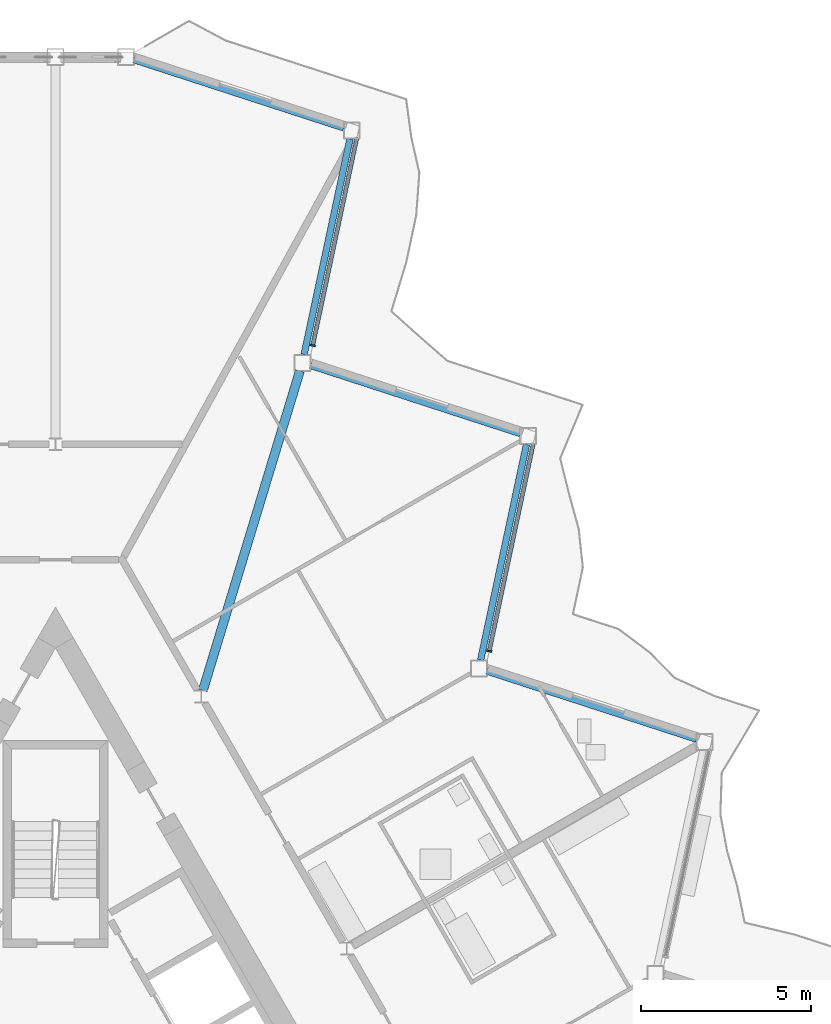
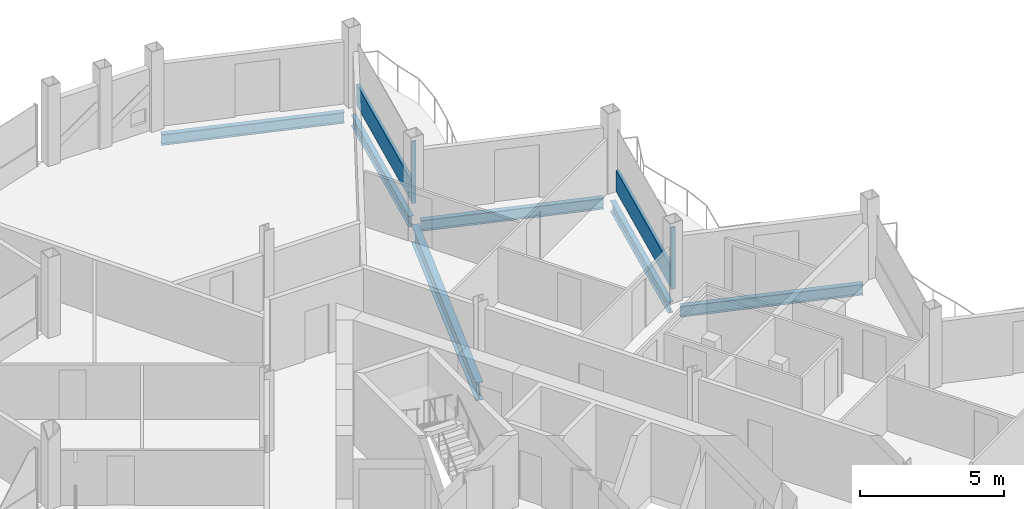
# One storey, part 10 of 25: 6 beams, 4 members, 2 elements without a shape of their own.
"""IFC4 building model written with IfcOpenShell, lengths in metres."""

import ifcopenshell
import ifcopenshell.guid

model = None  # the IFC model being written
_history = None  # IfcOwnerHistory: only IFC2X3 demands one
_inside = {}  # id of a spatial element -> (the spatial element, [elements in it])
_under = {}  # id of a project, library or spatial element -> (it, [spatial elements below it])
_declared = {}  # id of a project -> (the project, [libraries it declares])
_typed = {}  # id of a type object -> (the type object, [elements of that type])
_made_of = {}  # id of a material, layer set ... -> (it, [elements and type objects made of it])


def new_model(schema):
    """Start an empty IFC model of exactly this schema.

    Asked for "IFC4X3", IfcOpenShell would pick the latest addendum, in which some entities
    have other attributes; the version numbers below select the first issue.
    IFC2X3 requires an IfcOwnerHistory on every rooted entity: one is made here for all.
    """
    global model, _history
    if schema == "IFC4X3":
        model = ifcopenshell.file(schema_version=(4, 3, 0, 0))
    else:
        model = ifcopenshell.file(schema=schema)
    _inside.clear()
    _under.clear()
    _declared.clear()
    _typed.clear()
    _made_of.clear()
    _history = None
    if model.schema == "IFC2X3":
        org = make("IfcOrganization", Name="unknown")
        user = make(
            "IfcPersonAndOrganization",
            ThePerson=make("IfcPerson", FamilyName="unknown"),
            TheOrganization=org,
        )
        app = make(
            "IfcApplication",
            ApplicationDeveloper=org,
            Version="unknown",
            ApplicationFullName="unknown",
            ApplicationIdentifier="unknown",
        )
        _history = make(
            "IfcOwnerHistory",
            OwningUser=user,
            OwningApplication=app,
            ChangeAction="ADDED",
            CreationDate=0,
        )
    return model


def make(cls, **values):
    """One entity of the class cls with the attributes given. An attribute that is None is left unset."""
    return model.create_entity(
        cls, **{name: value for name, value in values.items() if value is not None}
    )


def rooted(cls, **values):
    """An entity with a GlobalId (a new one), such as an element, a storey or a relation."""
    return make(cls, GlobalId=ifcopenshell.guid.new(), OwnerHistory=_history, **values)


def si_unit(unit_type, name, prefix=None):
    """IfcSIUnit, for example si_unit("LENGTHUNIT", "METRE", prefix="MILLI")."""
    return make("IfcSIUnit", UnitType=unit_type, Prefix=prefix, Name=name)


def assignment(units):
    """IfcUnitAssignment: the units of a project."""
    return None if units is None else make("IfcUnitAssignment", Units=units)


def point(xyz):
    """IfcCartesianPoint."""
    return None if xyz is None else make("IfcCartesianPoint", Coordinates=xyz)


def direction(xyz):
    """IfcDirection."""
    return None if xyz is None else make("IfcDirection", DirectionRatios=xyz)


def frame(location, z_axis=None, x_axis=None):
    """IfcAxis2Placement3D, a coordinate frame: its origin and axes. An axis left out is left unset."""
    return make(
        "IfcAxis2Placement3D",
        Location=point(location),
        Axis=direction(z_axis),
        RefDirection=direction(x_axis),
    )


def frame_2d(location, x_axis=None):
    """IfcAxis2Placement2D, a coordinate frame in the plane: its origin and x axis."""
    return make(
        "IfcAxis2Placement2D", Location=point(location), RefDirection=direction(x_axis)
    )


def origin():
    """The frame at (0, 0, 0) with its axes left unset."""
    return frame((0.0, 0.0, 0.0))


def origin_2d():
    """The frame at (0, 0) in the plane with its x axis left unset."""
    return frame_2d((0.0, 0.0))


def place(relative_to, where):
    """IfcLocalPlacement: puts the frame where relative to a parent placement (None: the world)."""
    return make(
        "IfcLocalPlacement", PlacementRelTo=relative_to, RelativePlacement=where
    )


def context(
    kind, dimensions, precision=None, world=None, true_north=None, identifier=None
):
    """IfcGeometricRepresentationContext, for example the 3D "Model" context."""
    return make(
        "IfcGeometricRepresentationContext",
        ContextIdentifier=identifier,
        ContextType=kind,
        CoordinateSpaceDimension=dimensions,
        Precision=precision,
        WorldCoordinateSystem=world,
        TrueNorth=true_north,
    )


def subcontext(parent, identifier, kind, view, scale=None):
    """IfcGeometricRepresentationSubContext, for example "Body" below "Model"."""
    return make(
        "IfcGeometricRepresentationSubContext",
        ContextIdentifier=identifier,
        ContextType=kind,
        ParentContext=parent,
        TargetScale=scale,
        TargetView=view,
    )


def project(units=None, contexts=None):
    """IfcProject with its units and contexts."""
    return rooted(
        "IfcProject",
        Name="project",
        RepresentationContexts=contexts,
        UnitsInContext=assignment(units),
    )


def spatial(cls, under=None, at=None, **own):
    """A site, building, storey or space (cls), placed at a placement, below another one or the project."""
    s = rooted(cls, ObjectPlacement=at, **own)
    if under is not None:
        _under.setdefault(under.id(), (under, []))[1].append(s)
    return s


def profile(cls, at=None, kind="AREA", **sizes):
    """A parametric profile (cls). Its sizes go by their IFC names, for example OverallWidth=200.0."""
    return make(cls, ProfileType=kind, Position=at, **sizes)


def rectangle(**sizes):
    """IfcRectangleProfileDef."""
    return profile("IfcRectangleProfileDef", **sizes)


def i_section(**sizes):
    """IfcIShapeProfileDef."""
    return profile("IfcIShapeProfileDef", **sizes)


def extrude(swept, where, along, depth):
    """IfcExtrudedAreaSolid: the profile swept, set in the frame where, extruded along a direction by depth."""
    return make(
        "IfcExtrudedAreaSolid",
        SweptArea=swept,
        Position=where,
        ExtrudedDirection=direction(along),
        Depth=depth,
    )


def shape(context_of_items, identifier, shape_type, items):
    """IfcShapeRepresentation: the items that make up one representation, for example the "Body"."""
    return make(
        "IfcShapeRepresentation",
        ContextOfItems=context_of_items,
        RepresentationIdentifier=identifier,
        RepresentationType=shape_type,
        Items=items,
    )


def material(Name=None, Category=None):
    """IfcMaterial."""
    return make("IfcMaterial", Name=Name, Category=Category)


def layer(
    of_material, thickness, ventilated=None, Name=None, Category=None, Priority=None
):
    """IfcMaterialLayer: one layer of a wall or slab, of a material (None: an air gap)."""
    return make(
        "IfcMaterialLayer",
        Material=of_material,
        LayerThickness=thickness,
        IsVentilated=ventilated,
        Name=Name,
        Category=Category,
        Priority=Priority,
    )


def layer_set(layers, Name=None):
    """IfcMaterialLayerSet."""
    return make("IfcMaterialLayerSet", MaterialLayers=layers, LayerSetName=Name)


def material_profile(
    of_material, cross_section, Name=None, Category=None, Priority=None
):
    """IfcMaterialProfile: a cross section and its material."""
    return make(
        "IfcMaterialProfile",
        Name=Name,
        Material=of_material,
        Profile=cross_section,
        Priority=Priority,
        Category=Category,
    )


def profile_set(profiles, Name=None, composite=None):
    """IfcMaterialProfileSet."""
    return make(
        "IfcMaterialProfileSet",
        Name=Name,
        MaterialProfiles=profiles,
        CompositeProfile=composite,
    )


def made_of(thing, what):
    """Note that an element or type object is made of a material, layer set ...; save() writes the relation."""
    if what is not None:
        _made_of.setdefault(what.id(), (what, []))[1].append(thing)
    return thing


def type_object(cls, material=None, **own):
    """A type object (cls), such as IfcWallType, which elements share."""
    return made_of(rooted(cls, **own), material)


def element(
    cls,
    number,
    at=None,
    inside=None,
    cuts=None,
    type_object=None,
    material=None,
    context=None,
    identifier="Body",
    shape_type=None,
    held_by="IfcProductDefinitionShape",
    body=None,
    shapes=None,
    **own,
):
    """One element of the class cls, such as IfcWall. Its Tag is "e" and its number.

    at: its placement. inside: the storey or other place that contains it. cuts: it is an
    opening in that element (IfcRelVoidsElement). A single representation is given by context,
    identifier, shape_type and body (its items); several are given by shapes. held_by: the class
    of the entity that holds the representations. save() writes the other relations.
    """
    e = rooted(cls, Tag="e%d" % number, ObjectPlacement=at, **own)
    if body is not None:
        shapes = [shape(context, identifier, shape_type, body)]
    if shapes is not None:
        e.Representation = make(held_by, Representations=shapes)
    if inside is not None:
        _inside.setdefault(inside.id(), (inside, []))[1].append(e)
    if cuts is not None:
        rooted(
            "IfcRelVoidsElement", RelatingBuildingElement=cuts, RelatedOpeningElement=e
        )
    if type_object is not None:
        _typed.setdefault(type_object.id(), (type_object, []))[1].append(e)
    return made_of(e, material)


def aggregate(whole, parts):
    """IfcRelAggregates: a whole, such as a stair, and the parts it consists of."""
    return rooted("IfcRelAggregates", RelatingObject=whole, RelatedObjects=parts)


def save(model, path):
    """Write the relations noted so far, then the file.

    IfcRelAggregates (storeys below a building ...), IfcRelContainedInSpatialStructure (elements
    in a storey), IfcRelDefinesByType, IfcRelAssociatesMaterial and IfcRelDeclares: one each for
    every whole, place, type object, material and project.
    """
    for whole, parts in _under.values():
        aggregate(whole, parts)
    for where, things in _inside.values():
        rooted(
            "IfcRelContainedInSpatialStructure",
            RelatedElements=things,
            RelatingStructure=where,
        )
    for kind, things in _typed.values():
        rooted("IfcRelDefinesByType", RelatedObjects=things, RelatingType=kind)
    for what, things in _made_of.values():
        rooted("IfcRelAssociatesMaterial", RelatedObjects=things, RelatingMaterial=what)
    for by, libraries in _declared.values():
        rooted("IfcRelDeclares", RelatingContext=by, RelatedDefinitions=libraries)
    model.write(path)


model = new_model("IFC4")

# Units and contexts
model_context = context("Model", 3, precision=1e-05, world=origin(), true_north=direction((0.0, 1.0)))
body_context = subcontext(model_context, "Body", "Model", "MODEL_VIEW")
ifc_project = project(units=[si_unit("LENGTHUNIT", "METRE"), si_unit("AREAUNIT", "SQUARE_METRE"), si_unit("VOLUMEUNIT", "CUBIC_METRE"), si_unit("PLANEANGLEUNIT", "RADIAN"), si_unit("MASSUNIT", "GRAM", prefix="KILO")], contexts=[model_context])

# Site, building, storey
site_placement = place(None, origin())
site = spatial("IfcSite", under=ifc_project, at=site_placement, CompositionType="ELEMENT")
building_placement = place(site_placement, origin())
building = spatial("IfcBuilding", under=site, at=building_placement, Name="Cormorant Prow Tower", CompositionType="ELEMENT")
storey_placement = place(building_placement, frame((0.0, 0.0, 391.60009765625)))
storey = spatial("IfcBuildingStorey", under=building, at=storey_placement, Name="L89", CompositionType="ELEMENT", Elevation=391.60009765625)

# Beam
ifc_material_1 = material(Name="Structural steel ASTM A992 Gr 50", Category="steel")
ifc_material_profile_1 = material_profile(ifc_material_1, i_section(OverallWidth=0.267822265625, OverallDepth=0.77001953125, WebThickness=0.015625, FlangeThickness=0.025390625, at=origin_2d()), Name="W30x132")
ifc_profile_set_1 = profile_set([ifc_material_profile_1], Name="Structural steel ASTM A992 Gr 50")
beam_type_1 = type_object("IfcBeamType", Name="Radial floor beam W30x132", PredefinedType="BEAM", material=ifc_profile_set_1)
beam_1_placement = place(storey_placement, frame((4.343505859375, 12.560791015625, -0.68505859375), z_axis=(0.290499864147, 0.956875033079, 0.0), x_axis=(-0.956875033079, 0.290499864147, 0.0)))
element("IfcBeam", 1, at=beam_1_placement, inside=storey, type_object=beam_type_1, Name="Radial floor beam FB3 12 L89", PredefinedType="BEAM", context=body_context, shape_type="SweptSolid", body=[
    extrude(i_section(OverallWidth=0.267822265625, OverallDepth=0.77001953125, WebThickness=0.015625, FlangeThickness=0.025390625, at=origin_2d()), origin(), (0.0, 0.0, 1.0), 9.837158203125),
])

# Curtain wall, member
ifc_material_2 = material(Name="Aluminium 6063-T6", Category="aluminium")
ifc_layer = layer(ifc_material_2, 0.159912109375)
ifc_layer_set = layer_set([ifc_layer], Name="Aluminium 6063-T6")
curtain_wall_type = type_object("IfcCurtainWallType", Name="Residential unitised curtain wall 160", PredefinedType="NOTDEFINED", material=ifc_layer_set)
curtain_wall_1_placement = place(storey_placement, origin())
curtain_wall_1 = element("IfcCurtainWall", 2, at=curtain_wall_1_placement, inside=storey, type_object=curtain_wall_type, Name="Residential curtain wall ENE06", PredefinedType="NOTDEFINED")
ifc_material_3 = material(Name="Aluminium 6063-T6", Category="aluminium")
ifc_material_profile_2 = material_profile(ifc_material_3, rectangle(XDim=0.159912109375, YDim=0.050048828125, at=origin_2d()), Name="Residential mullion 50x160")
ifc_profile_set_2 = profile_set([ifc_material_profile_2], Name="Aluminium 6063-T6")
member_type_1 = type_object("IfcMemberType", Name="Residential mullion 50x160", PredefinedType="MULLION", material=ifc_profile_set_2)
member_1_placement = place(storey_placement, frame((12.779541015625, 13.71826171875, 0.0), z_axis=(0.0, 0.0, 1.0), x_axis=(-0.978147615768, 0.207911620089, 0.0)))
member_1 = element("IfcMember", 3, at=member_1_placement, type_object=member_type_1, Name="Residential mullion ENE06", PredefinedType="MULLION", context=body_context, shape_type="SweptSolid", body=[
    extrude(rectangle(XDim=0.159912109375, YDim=0.050048828125, at=origin_2d()), origin(), (0.0, 0.0, 1.0), 2.6337890625),
])

curtain_wall_2_placement = place(storey_placement, origin())
curtain_wall_2 = element("IfcCurtainWall", 4, at=curtain_wall_2_placement, inside=storey, type_object=curtain_wall_type, Name="Residential curtain wall ENE08", PredefinedType="NOTDEFINED")
member_2_placement = place(storey_placement, frame((7.579345703125, 22.724853515625, 0.0), z_axis=(0.0, 0.0, 1.0), x_axis=(-0.978147615768, 0.207911620089, 0.0)))
member_2 = element("IfcMember", 5, at=member_2_placement, type_object=member_type_1, Name="Residential mullion ENE08", PredefinedType="MULLION", context=body_context, shape_type="SweptSolid", body=[
    extrude(rectangle(XDim=0.159912109375, YDim=0.050048828125, at=origin_2d()), origin(), (0.0, 0.0, 1.0), 2.6337890625),
])

# Member
ifc_material_4 = material(Name="Terracotta", Category="masonry")
ifc_material_profile_3 = material_profile(ifc_material_4, rectangle(XDim=0.1201171875, YDim=0.89990234375, at=origin_2d()), Name="Residential terracotta spandrel rail 120x900")
ifc_profile_set_3 = profile_set([ifc_material_profile_3], Name="Terracotta")
member_type_2 = type_object("IfcMemberType", Name="Residential terracotta spandrel rail 120x900", PredefinedType="USERDEFINED", material=ifc_profile_set_3)
member_3_placement = place(storey_placement, frame((12.78466796875, 13.74267578125, 0.449951171875), z_axis=(0.207916541247, 0.978146569731, 0.0), x_axis=(-0.978146569731, 0.207916541247, 0.0)))
member_3 = element("IfcMember", 6, at=member_3_placement, type_object=member_type_2, Name="Residential spandrel rail ENE06", ObjectType="TRANSOM", PredefinedType="USERDEFINED", context=body_context, shape_type="SweptSolid", body=[
    extrude(rectangle(XDim=0.1201171875, YDim=0.89990234375, at=origin_2d()), origin(), (0.0, 0.0, 1.0), 6.215087890625),
])

aggregate(curtain_wall_1, [member_1, member_3])

member_4_placement = place(storey_placement, frame((7.584716796875, 22.749267578125, 0.449951171875), z_axis=(0.207908552773, 0.978148267741, 0.0), x_axis=(-0.978148267741, 0.207908552773, 0.0)))
member_4 = element("IfcMember", 7, at=member_4_placement, type_object=member_type_2, Name="Residential spandrel rail ENE08", ObjectType="TRANSOM", PredefinedType="USERDEFINED", context=body_context, shape_type="SweptSolid", body=[
    extrude(rectangle(XDim=0.1201171875, YDim=0.89990234375, at=origin_2d()), origin(), (0.0, 0.0, 1.0), 6.21533203125),
])

aggregate(curtain_wall_2, [member_2, member_4])

# Beams
ifc_material_5 = material(Name="Structural steel ASTM A992 Gr 50", Category="steel")
ifc_material_profile_4 = material_profile(ifc_material_5, i_section(OverallWidth=0.19287109375, OverallDepth=0.466064453125, WebThickness=0.011474609375, FlangeThickness=0.01904296875, at=origin_2d()), Name="W18x65")
ifc_profile_set_4 = profile_set([ifc_material_profile_4], Name="Structural steel ASTM A992 Gr 50")
beam_type_2 = type_object("IfcBeamType", Name="Spandrel beam W18x65", PredefinedType="SPANDREL", material=ifc_profile_set_4)
beam_2_placement = place(storey_placement, frame((18.890869140625, 11.12109375, -0.533203125), z_axis=(-0.951053396625, 0.309026595569, 0.0), x_axis=(-0.309026595569, -0.951053396625, 0.0)))
element("IfcBeam", 8, at=beam_2_placement, inside=storey, type_object=beam_type_2, Name="Spandrel beam SB4 ENE05-ENE06 L89", PredefinedType="SPANDREL", context=body_context, shape_type="SweptSolid", body=[
    extrude(i_section(OverallWidth=0.19287109375, OverallDepth=0.466064453125, WebThickness=0.011474609375, FlangeThickness=0.01904296875, at=origin_2d()), origin(), (0.0, 0.0, 1.0), 6.497314453125),
])
beam_3_placement = place(storey_placement, frame((12.52587890625, 13.45068359375, -0.533203125), z_axis=(0.207901897373, 0.978149682344, 0.0), x_axis=(-0.978149682344, 0.207901897373, 0.0)))
element("IfcBeam", 9, at=beam_3_placement, inside=storey, type_object=beam_type_2, Name="Spandrel beam SB4 ENE06-ENE07 L89", PredefinedType="SPANDREL", context=body_context, shape_type="SweptSolid", body=[
    extrude(i_section(OverallWidth=0.19287109375, OverallDepth=0.466064453125, WebThickness=0.011474609375, FlangeThickness=0.01904296875, at=origin_2d()), origin(), (0.0, 0.0, 1.0), 6.49755859375),
])
beam_4_placement = place(storey_placement, frame((13.69091796875, 20.1279296875, -0.533203125), z_axis=(-0.951068027308, 0.308981564875, 0.0), x_axis=(-0.308981564875, -0.951068027308, 0.0)))
element("IfcBeam", 10, at=beam_4_placement, inside=storey, type_object=beam_type_2, Name="Spandrel beam SB4 ENE07-ENE08 L89", PredefinedType="SPANDREL", context=body_context, shape_type="SweptSolid", body=[
    extrude(i_section(OverallWidth=0.19287109375, OverallDepth=0.466064453125, WebThickness=0.011474609375, FlangeThickness=0.01904296875, at=origin_2d()), origin(), (0.0, 0.0, 1.0), 6.497314453125),
])
for number, where, z_axis, x_axis, name in (
    (11, (7.32568359375, 22.457275390625, -0.533203125), (0.20793784774, 0.978142040543, 0.0), (-0.978142040543, 0.20793784774, 0.0), "Spandrel beam SB4 ENE08-ENE09 L89"),
    (12, (8.490966796875, 29.134521484375, -0.533203125), (-0.951056984862, 0.30901555227, 0.0), (-0.30901555227, -0.951056984862, 0.0), "Spandrel beam SB4 ENE09-N00 L89"),
):
    element("IfcBeam", number, at=place(storey_placement, frame(where, z_axis=z_axis, x_axis=x_axis)), inside=storey, type_object=beam_type_2, Name=name, PredefinedType="SPANDREL", context=body_context, shape_type="SweptSolid", body=[
        extrude(i_section(OverallWidth=0.19287109375, OverallDepth=0.466064453125, WebThickness=0.011474609375, FlangeThickness=0.01904296875, at=origin_2d()), origin(), (0.0, 0.0, 1.0), 6.49755859375),
    ])

save(model, "model.ifc")
